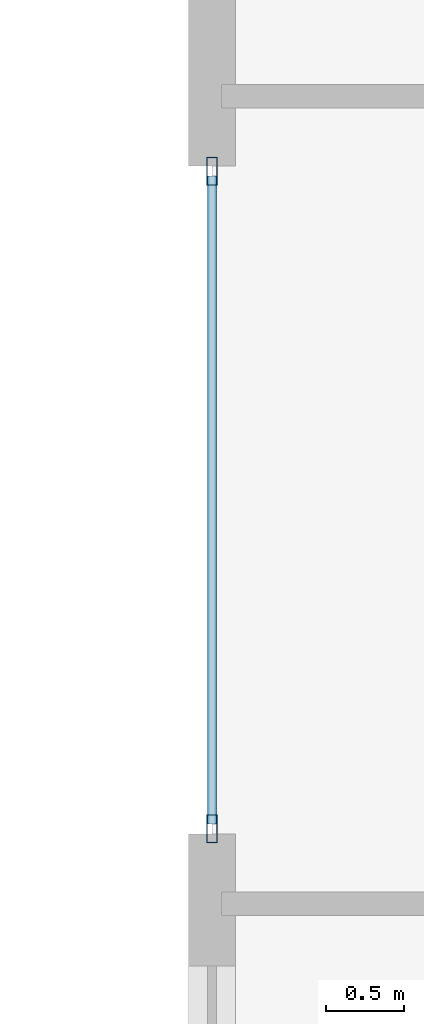
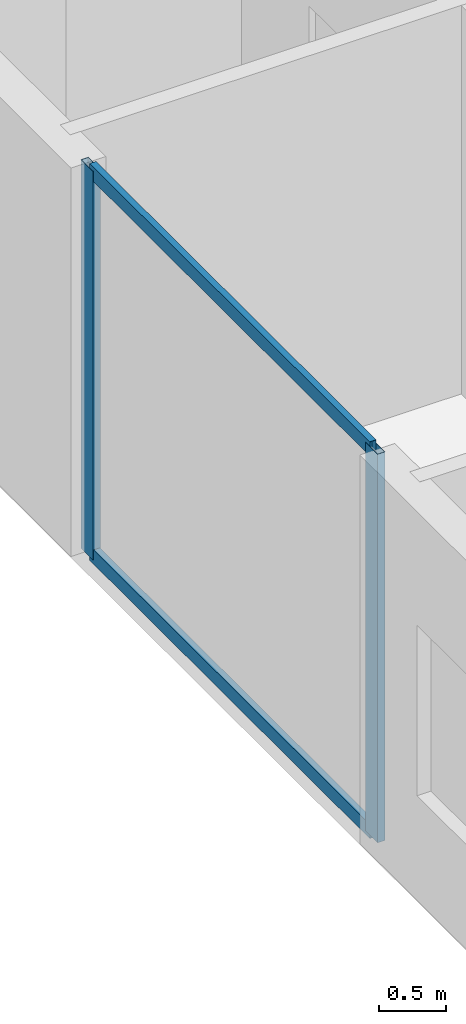
# One storey, part 3 of 32: 4 members, 1 element without a shape of its own.
"""IFC4 building model written with IfcOpenShell, lengths in metres."""

from ifc_helpers import new_model, si_unit, direction, frame, origin, origin_2d, place, context, subcontext, project, spatial, hollow_rectangle, extrude, material, layer, layer_set, material_profile, profile_set, type_object, element, aggregate, save


model = new_model("IFC4")

# Units and contexts
model_context = context("Model", 3, precision=1e-05, world=origin(), true_north=direction((0.0, 1.0)))
body_context = subcontext(model_context, "Body", "Model", "MODEL_VIEW")
ifc_project = project(units=[si_unit("LENGTHUNIT", "METRE"), si_unit("AREAUNIT", "SQUARE_METRE"), si_unit("VOLUMEUNIT", "CUBIC_METRE"), si_unit("PLANEANGLEUNIT", "RADIAN"), si_unit("MASSUNIT", "GRAM", prefix="KILO")], contexts=[model_context])

# Site, building, storey
site_placement = place(None, origin())
site = spatial("IfcSite", under=ifc_project, at=site_placement, CompositionType="ELEMENT")
building_placement = place(site_placement, origin())
building = spatial("IfcBuilding", under=site, at=building_placement, Name="Zuhayl Quay Hotel", CompositionType="ELEMENT")
storey_placement = place(building_placement, frame((0.0, 0.0, 226.14990234375)))
storey = spatial("IfcBuildingStorey", under=building, at=storey_placement, Name="L57", CompositionType="ELEMENT", Elevation=226.14990234375)

# Curtain wall, members
ifc_material_1 = material(Name="Anodised Aluminium 6063-T6", Category="aluminium")
ifc_layer = layer(ifc_material_1, 0.175048828125, Name="Anodised Aluminium 6063-T6", Category="aluminium")
ifc_layer_set = layer_set([ifc_layer], Name="Anodised Aluminium 6063-T6")
curtain_wall_type = type_object("IfcCurtainWallType", Name="CW_SYS_Z3", PredefinedType="USERDEFINED", material=ifc_layer_set)
curtain_wall_placement = place(storey_placement, origin())
curtain_wall = element("IfcCurtainWall", 1, at=curtain_wall_placement, inside=storey, type_object=curtain_wall_type, Name="L57 Curtain Wall ENV_L57_E02_CW1", ObjectType="UNITISED CURTAIN WALL", PredefinedType="USERDEFINED")
ifc_material_2 = material(Name="Black-anodised aluminium 6063-T6", Category="aluminium")
ifc_material_profile_1 = material_profile(ifc_material_2, hollow_rectangle(XDim=0.06494140625, YDim=0.179931640625, WallThickness=0.00341796875, at=origin_2d()), Name="ALU180X65")
ifc_profile_set_1 = profile_set([ifc_material_profile_1], Name="Black-anodised aluminium 6063-T6")
member_type_1 = type_object("IfcMemberType", Name="MB_CW_MUL_180", PredefinedType="MULLION", material=ifc_profile_set_1)
member_1_placement = place(storey_placement, frame((-22.10009765625, 2.032470703125, 0.0), z_axis=(0.0, 0.0, 1.0), x_axis=(-1.0, 0.0, 0.0)))
member_1 = element("IfcMember", 2, at=member_1_placement, type_object=member_type_1, Name="CW-Z3 mullion 1", PredefinedType="MULLION", context=body_context, shape_type="SweptSolid", body=[
    extrude(hollow_rectangle(XDim=0.06494140625, YDim=0.179931640625, WallThickness=0.00341796875, at=origin_2d()), origin(), (0.0, 0.0, 1.0), 3.530029296875),
])
member_2_placement = place(storey_placement, frame((-22.10009765625, 6.267578125, 0.0), z_axis=(0.0, 0.0, 1.0), x_axis=(-1.0, 0.0, 0.0)))
member_2 = element("IfcMember", 3, at=member_2_placement, type_object=member_type_1, Name="CW-Z3 mullion 2", PredefinedType="MULLION", context=body_context, shape_type="SweptSolid", body=[
    extrude(hollow_rectangle(XDim=0.06494140625, YDim=0.179931640625, WallThickness=0.00341796875, at=origin_2d()), origin(), (0.0, 0.0, 1.0), 3.530029296875),
])
ifc_material_profile_2 = material_profile(ifc_material_2, hollow_rectangle(XDim=0.054931640625, YDim=0.1298828125, WallThickness=0.0029296875, at=origin_2d()), Name="ALU130X55")
ifc_profile_set_2 = profile_set([ifc_material_profile_2], Name="Black-anodised aluminium 6063-T6")
member_type_2 = type_object("IfcMemberType", Name="MB_CW_TRN_130", PredefinedType="USERDEFINED", material=ifc_profile_set_2)
member_3_placement = place(storey_placement, frame((-22.10009765625, 2.06494140625, 0.027587890625), z_axis=(0.0, 1.0, 0.0), x_axis=(-1.0, 0.0, 0.0)))
member_3 = element("IfcMember", 4, at=member_3_placement, type_object=member_type_2, Name="CW-Z3 transom 1.1", ObjectType="TRANSOM", PredefinedType="USERDEFINED", context=body_context, shape_type="SweptSolid", body=[
    extrude(hollow_rectangle(XDim=0.054931640625, YDim=0.1298828125, WallThickness=0.0029296875, at=origin_2d()), origin(), (0.0, 0.0, 1.0), 4.170166015625),
])
member_4_placement = place(storey_placement, frame((-22.10009765625, 2.06494140625, 3.502685546875), z_axis=(0.0, 1.0, 0.0), x_axis=(-1.0, 0.0, 0.0)))
member_4 = element("IfcMember", 5, at=member_4_placement, type_object=member_type_2, Name="CW-Z3 transom 1.2", ObjectType="TRANSOM", PredefinedType="USERDEFINED", context=body_context, shape_type="SweptSolid", body=[
    extrude(hollow_rectangle(XDim=0.054931640625, YDim=0.1298828125, WallThickness=0.0029296875, at=origin_2d()), origin(), (0.0, 0.0, 1.0), 4.170166015625),
])
aggregate(curtain_wall, [member_1, member_2, member_3, member_4])

save(model, "model.ifc")
